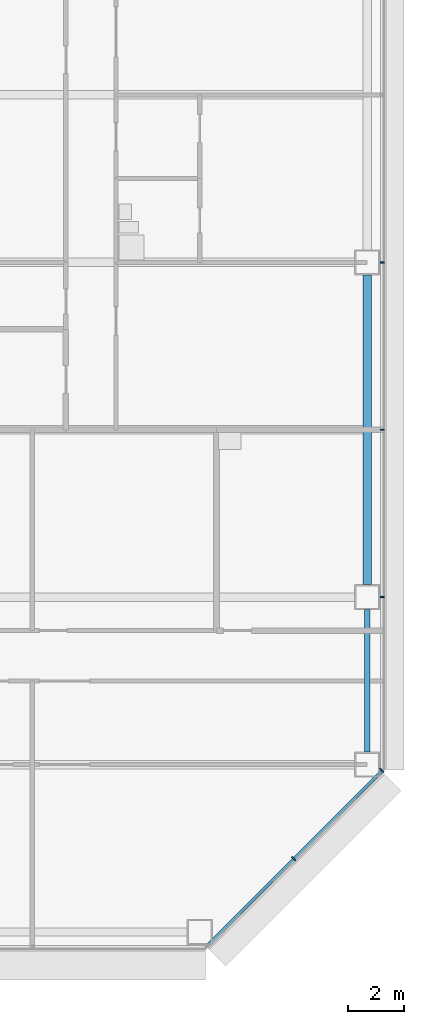
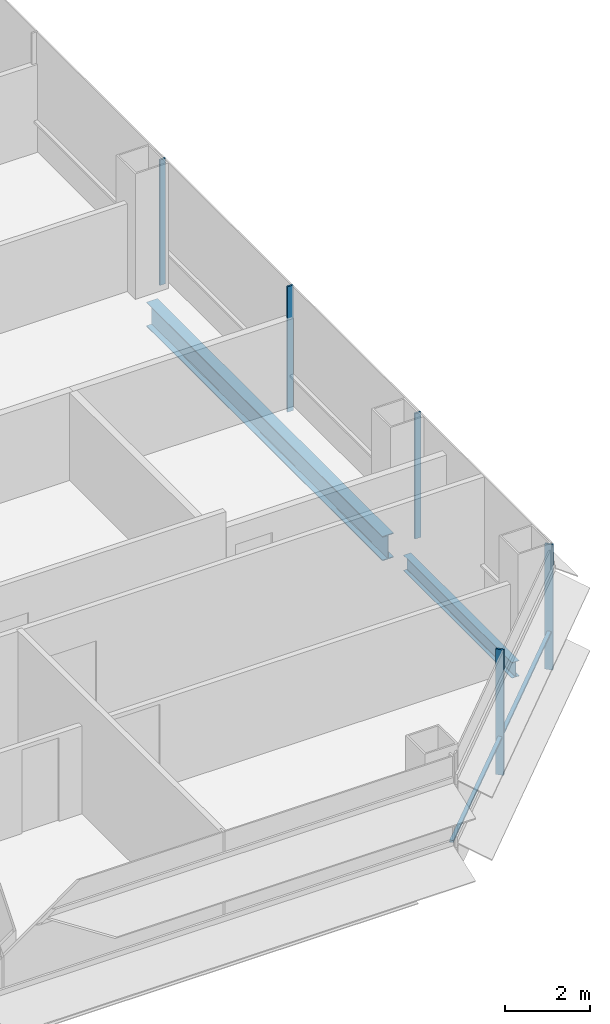
# One storey, part 16 of 27: 6 members, 2 beams, 2 elements without a shape of their own.
"""IFC4 building model written with IfcOpenShell, lengths in metres."""

from ifc_helpers import new_model, si_unit, direction, frame, origin, origin_2d, place, context, subcontext, project, spatial, rectangle, i_section, extrude, material, material_profile, profile_set, type_object, element, aggregate, save


model = new_model("IFC4")

# Units and contexts
model_context = context("Model", 3, precision=1e-05, world=origin(), true_north=direction((0.0, 1.0)))
body_context = subcontext(model_context, "Body", "Model", "MODEL_VIEW")
ifc_project = project(units=[si_unit("LENGTHUNIT", "METRE"), si_unit("AREAUNIT", "SQUARE_METRE"), si_unit("VOLUMEUNIT", "CUBIC_METRE"), si_unit("PLANEANGLEUNIT", "RADIAN"), si_unit("MASSUNIT", "GRAM", prefix="KILO")], contexts=[model_context])

# Site, building, storey
site_placement = place(None, origin())
site = spatial("IfcSite", under=ifc_project, at=site_placement, CompositionType="ELEMENT")
building_placement = place(site_placement, origin())
building = spatial("IfcBuilding", under=site, at=building_placement, Name="Sorahane Residences", CompositionType="ELEMENT")
storey_placement = place(building_placement, frame((0.0, 0.0, 53.39990234375)))
storey = spatial("IfcBuildingStorey", under=building, at=storey_placement, Name="L09", CompositionType="ELEMENT", Elevation=53.39990234375)

# Curtain wall, members
ifc_material_1 = material(Name="Dark low-e glass and black anodised aluminium", Category="aluminium")
curtain_wall_type_1 = type_object("IfcCurtainWallType", Name="Curtain wall CW-1 Typical unitised wall", PredefinedType="NOTDEFINED", material=ifc_material_1)
curtain_wall_1_placement = place(storey_placement, origin())
curtain_wall_1 = element("IfcCurtainWall", 1, at=curtain_wall_1_placement, inside=storey, type_object=curtain_wall_type_1, Name="CW-1 curtain wall L09 E1", PredefinedType="NOTDEFINED")
ifc_material_2 = material(Name="Black anodised aluminium", Category="aluminium")
ifc_material_profile_1 = material_profile(ifc_material_2, rectangle(XDim=0.159912109375, YDim=0.050048828125, at=origin_2d()), Name="Curtain wall mullion CW-1 black anodised aluminium 50x160")
ifc_profile_set_1 = profile_set([ifc_material_profile_1], Name="Black anodised aluminium")
member_type_1 = type_object("IfcMemberType", Name="Curtain wall mullion CW-1 black anodised aluminium 50x160", PredefinedType="MULLION", material=ifc_profile_set_1)
member_1_placement = place(storey_placement, frame((66.5400390625, 12.0, -0.179931640625), z_axis=(0.0, 0.0, 1.0), x_axis=(1.0, 0.0, 0.0)))
member_1 = element("IfcMember", 2, at=member_1_placement, type_object=member_type_1, Name="CW-1 mullion L09 E1.2", PredefinedType="MULLION", context=body_context, shape_type="SweptSolid", body=[
    extrude(rectangle(XDim=0.159912109375, YDim=0.050048828125, at=origin_2d()), origin(), (0.0, 0.0, 1.0), 3.60009765625),
])
member_2_placement = place(storey_placement, frame((66.5400390625, 18.0, -0.179931640625), z_axis=(0.0, 0.0, 1.0), x_axis=(1.0, 0.0, 0.0)))
member_2 = element("IfcMember", 3, at=member_2_placement, type_object=member_type_1, Name="CW-1 mullion L09 E1.3", PredefinedType="MULLION", context=body_context, shape_type="SweptSolid", body=[
    extrude(rectangle(XDim=0.159912109375, YDim=0.050048828125, at=origin_2d()), origin(), (0.0, 0.0, 1.0), 3.60009765625),
])
member_3_placement = place(storey_placement, frame((66.5400390625, 24.0, -0.179931640625), z_axis=(0.0, 0.0, 1.0), x_axis=(1.0, 0.0, 0.0)))
member_3 = element("IfcMember", 4, at=member_3_placement, type_object=member_type_1, Name="CW-1 mullion L09 E1.4", PredefinedType="MULLION", context=body_context, shape_type="SweptSolid", body=[
    extrude(rectangle(XDim=0.159912109375, YDim=0.050048828125, at=origin_2d()), origin(), (0.0, 0.0, 1.0), 3.60009765625),
])
aggregate(curtain_wall_1, [member_1, member_2, member_3])

ifc_material_3 = material(Name="Dark low-e glass and black anodised aluminium", Category="aluminium")
curtain_wall_type_2 = type_object("IfcCurtainWallType", Name="Curtain wall CW-2 Chamfer unitised wall", PredefinedType="NOTDEFINED", material=ifc_material_3)
curtain_wall_2_placement = place(storey_placement, origin())
curtain_wall_2 = element("IfcCurtainWall", 5, at=curtain_wall_2_placement, inside=storey, type_object=curtain_wall_type_2, Name="CW-2 curtain wall L09 SE1", PredefinedType="NOTDEFINED")
ifc_material_4 = material(Name="Black anodised aluminium", Category="aluminium")
ifc_material_profile_2 = material_profile(ifc_material_4, rectangle(XDim=0.199951171875, YDim=0.050048828125, at=origin_2d()), Name="Curtain wall mullion CW-2 black anodised aluminium 50x200")
ifc_profile_set_2 = profile_set([ifc_material_profile_2], Name="Black anodised aluminium")
member_type_2 = type_object("IfcMemberType", Name="Curtain wall mullion CW-2 black anodised aluminium 50x200", PredefinedType="MULLION", material=ifc_profile_set_2)
member_4_placement = place(storey_placement, frame((63.36767578125, 2.63232421875, -0.179931640625), z_axis=(0.0, 0.0, 1.0), x_axis=(0.707106781187, -0.707106781187, 0.0)))
member_4 = element("IfcMember", 6, at=member_4_placement, type_object=member_type_2, Name="CW-2 mullion L09 SE1.2", PredefinedType="MULLION", context=body_context, shape_type="SweptSolid", body=[
    extrude(rectangle(XDim=0.199951171875, YDim=0.050048828125, at=origin_2d()), origin(), (0.0, 0.0, 1.0), 3.60009765625),
])
member_5_placement = place(storey_placement, frame((66.525634765625, 5.790283203125, -0.179931640625), z_axis=(0.0, 0.0, 1.0), x_axis=(0.707106781187, -0.707106781187, 0.0)))
member_5 = element("IfcMember", 7, at=member_5_placement, type_object=member_type_2, Name="CW-2 mullion L09 SE1.3", PredefinedType="MULLION", context=body_context, shape_type="SweptSolid", body=[
    extrude(rectangle(XDim=0.199951171875, YDim=0.050048828125, at=origin_2d()), origin(), (0.0, 0.0, 1.0), 3.60009765625),
])
ifc_material_5 = material(Name="Black anodised aluminium", Category="aluminium")
ifc_material_profile_3 = material_profile(ifc_material_5, rectangle(XDim=0.10009765625, YDim=0.06005859375, at=origin_2d()), Name="Curtain wall transom CW-2 black anodised aluminium 60x100")
ifc_profile_set_3 = profile_set([ifc_material_profile_3], Name="Black anodised aluminium")
member_type_3 = type_object("IfcMemberType", Name="Curtain wall transom CW-2 black anodised aluminium 60x100", PredefinedType="USERDEFINED", material=ifc_profile_set_3)
member_6_placement = place(storey_placement, frame((60.234375, -0.51513671875, 0.900146484375), z_axis=(0.707106781187, 0.707106781187, 0.0), x_axis=(-0.707106781187, 0.707106781187, 0.0)))
member_6 = element("IfcMember", 8, at=member_6_placement, type_object=member_type_3, Name="CW-2 transom L09 SE1", ObjectType="TRANSOM", PredefinedType="USERDEFINED", context=body_context, shape_type="SweptSolid", body=[
    extrude(rectangle(XDim=0.10009765625, YDim=0.06005859375, at=origin_2d()), origin(), (0.0, 0.0, 1.0), 8.88232421875),
])
aggregate(curtain_wall_2, [member_4, member_5, member_6])

# Beams
ifc_material_6 = material(Name="Steel Q355B", Category="steel")
ifc_material_profile_4 = material_profile(ifc_material_6, i_section(OverallWidth=0.199951171875, OverallDepth=0.449951171875, WebThickness=0.009033203125, FlangeThickness=0.013916015625, FilletRadius=0.02001953125, at=origin_2d()), Name="HN 450x200x9x14")
ifc_profile_set_4 = profile_set([ifc_material_profile_4], Name="Steel Q355B")
beam_type_1 = type_object("IfcBeamType", Name="Steel floor beam HN 450x200x9x14 Q355B", PredefinedType="BEAM", material=ifc_profile_set_4)
beam_1_placement = place(storey_placement, frame((66.0, 6.449951171875, -0.40478515625), z_axis=(0.0, 1.0, 0.0), x_axis=(-1.0, 0.0, 0.0)))
element("IfcBeam", 9, at=beam_1_placement, inside=storey, type_object=beam_type_1, Name="Beam L09 057", PredefinedType="BEAM", context=body_context, shape_type="SweptSolid", body=[
    extrude(i_section(OverallWidth=0.199951171875, OverallDepth=0.449951171875, WebThickness=0.009033203125, FlangeThickness=0.013916015625, FilletRadius=0.02001953125, at=origin_2d()), origin(), (0.0, 0.0, 1.0), 5.10009765625),
])
ifc_material_7 = material(Name="Steel Q355B", Category="steel")
ifc_material_profile_5 = material_profile(ifc_material_7, i_section(OverallWidth=0.300048828125, OverallDepth=0.699951171875, WebThickness=0.012939453125, FlangeThickness=0.02392578125, FilletRadius=0.028076171875, at=origin_2d()), Name="HN 700x300x13x24")
ifc_profile_set_5 = profile_set([ifc_material_profile_5], Name="Steel Q355B")
beam_type_2 = type_object("IfcBeamType", Name="Steel floor beam HN 700x300x13x24 Q355B", PredefinedType="BEAM", material=ifc_profile_set_5)
beam_2_placement = place(storey_placement, frame((66.0, 12.449951171875, -0.52978515625), z_axis=(0.0, 1.0, 0.0), x_axis=(-1.0, 0.0, 0.0)))
element("IfcBeam", 10, at=beam_2_placement, inside=storey, type_object=beam_type_2, Name="Beam L09 058", PredefinedType="BEAM", context=body_context, shape_type="SweptSolid", body=[
    extrude(i_section(OverallWidth=0.300048828125, OverallDepth=0.699951171875, WebThickness=0.012939453125, FlangeThickness=0.02392578125, FilletRadius=0.028076171875, at=origin_2d()), origin(), (0.0, 0.0, 1.0), 11.10009765625),
])

save(model, "model.ifc")
